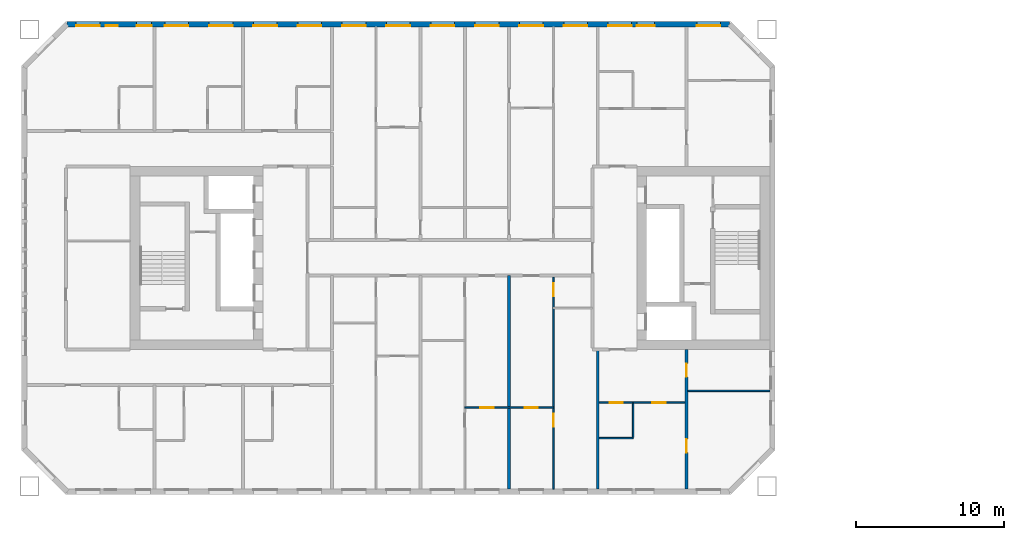
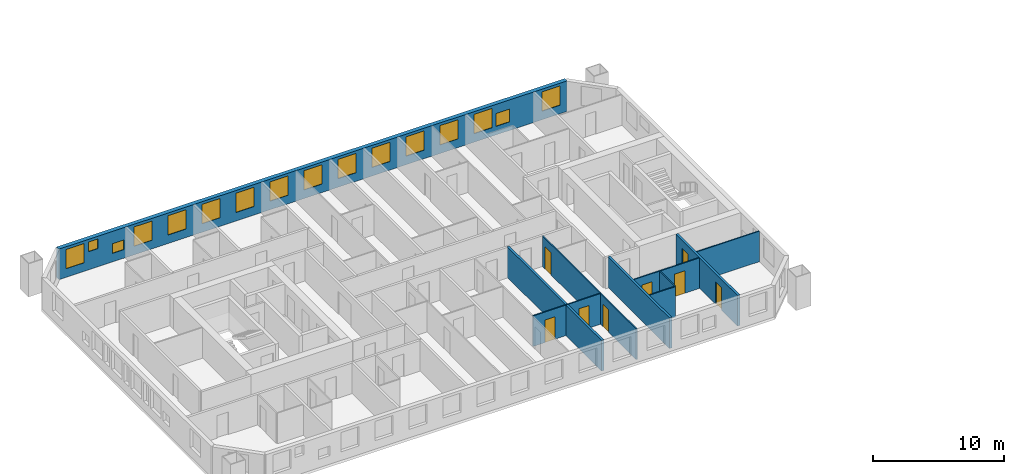
# One storey, part 6 of 17: 16 windows, 10 walls, 8 doors, 24 openings.
"""IFC4 building model written with IfcOpenShell, lengths in metres."""

from ifc_helpers import new_model, si_unit, direction, frame, frame_2d, origin, place, context, subcontext, project, spatial, rectangle, extrude, material, layer, layer_set, type_object, element, fill, save


model = new_model("IFC4")

# Units and contexts
model_context = context("Model", 3, precision=1e-05, world=origin(), true_north=direction((0.0, 1.0)))
body_context = subcontext(model_context, "Body", "Model", "MODEL_VIEW")
ifc_project = project(units=[si_unit("LENGTHUNIT", "METRE"), si_unit("AREAUNIT", "SQUARE_METRE"), si_unit("VOLUMEUNIT", "CUBIC_METRE"), si_unit("PLANEANGLEUNIT", "RADIAN"), si_unit("MASSUNIT", "GRAM", prefix="KILO")], contexts=[model_context])

# Site, building, storey
site_placement = place(None, origin())
site = spatial("IfcSite", under=ifc_project, at=site_placement, CompositionType="ELEMENT")
building_placement = place(site_placement, origin())
building = spatial("IfcBuilding", under=site, at=building_placement, Name="Tuart Gate Housing", CompositionType="ELEMENT")
storey_placement = place(building_placement, frame((0.0, 0.0, 99.5)))
storey = spatial("IfcBuildingStorey", under=building, at=storey_placement, Name="L27", CompositionType="ELEMENT", Elevation=99.5)

# Wall, openings, windows
ifc_material_1 = material(Name="Brick", Category="masonry")
ifc_layer_1 = layer(ifc_material_1, 0.360107421875)
ifc_layer_set_1 = layer_set([ifc_layer_1], Name="Brick pier and spandrel wall 360")
wall_type_1 = type_object("IfcWallType", Name="Brick pier and spandrel wall 360", PredefinedType="STANDARD", material=ifc_layer_set_1)
wall_1_placement = place(storey_placement, frame((72.92529296875, 85.820068359375, 0.0), z_axis=(0.0, 0.0, 1.0), x_axis=(-1.0, 0.0, 0.0)))
wall_1 = element("IfcWall", 1, at=wall_1_placement, inside=storey, type_object=wall_type_1, Name="External wall A-N L27", PredefinedType="STANDARD", context=body_context, shape_type="SweptSolid", body=[
    extrude(rectangle(XDim=44.850830078125, YDim=0.360107421875, at=frame_2d((22.42529296875, 0.0))), origin(), (0.0, 0.0, 1.0), 2.85009765625),
])
opening_1_placement = place(wall_1_placement, frame((0.62548828125, 0.0, 0.800048828125)))
opening_1 = element("IfcOpeningElement", 2, at=opening_1_placement, cuts=wall_1, Name="Opening W1", PredefinedType="OPENING", context=body_context, shape_type="SweptSolid", body=[
    extrude(rectangle(XDim=1.60009765625, YDim=1.800048828125, at=frame_2d((0.800048828125, 0.89990234375))), frame((0.0, 0.18994140625, 0.0), z_axis=(0.0, -1.0, 0.0), x_axis=(1.0, 0.0, 0.0)), (0.0, 0.0, 1.0), 0.380126953125),
])
opening_2_placement = place(wall_1_placement, frame((5.075439453125, 0.0, 0.800048828125)))
opening_2 = element("IfcOpeningElement", 3, at=opening_2_placement, cuts=wall_1, Name="Opening W1N", PredefinedType="OPENING", context=body_context, shape_type="SweptSolid", body=[
    extrude(rectangle(XDim=1.199951171875, YDim=1.199951171875, at=frame_2d((0.60009765625, 0.60009765625))), frame((0.0, 0.18994140625, 0.0), z_axis=(0.0, -1.0, 0.0), x_axis=(1.0, 0.0, 0.0)), (0.0, 0.0, 1.0), 0.380126953125),
])
opening_3_placement = place(wall_1_placement, frame((6.62548828125, 0.0, 0.800048828125)))
opening_3 = element("IfcOpeningElement", 4, at=opening_3_placement, cuts=wall_1, Name="Opening W1", PredefinedType="OPENING", context=body_context, shape_type="SweptSolid", body=[
    extrude(rectangle(XDim=1.60009765625, YDim=1.800048828125, at=frame_2d((0.800048828125, 0.89990234375))), frame((0.0, 0.18994140625, 0.0), z_axis=(0.0, -1.0, 0.0), x_axis=(1.0, 0.0, 0.0)), (0.0, 0.0, 1.0), 0.380126953125),
])
opening_4_placement = place(wall_1_placement, frame((9.62548828125, 0.0, 0.800048828125)))
opening_4 = element("IfcOpeningElement", 5, at=opening_4_placement, cuts=wall_1, Name="Opening W1", PredefinedType="OPENING", context=body_context, shape_type="SweptSolid", body=[
    extrude(rectangle(XDim=1.60009765625, YDim=1.800048828125, at=frame_2d((0.800048828125, 0.89990234375))), frame((0.0, 0.18994140625, 0.0), z_axis=(0.0, -1.0, 0.0), x_axis=(1.0, 0.0, 0.0)), (0.0, 0.0, 1.0), 0.380126953125),
])
opening_5_placement = place(wall_1_placement, frame((12.62548828125, 0.0, 0.800048828125)))
opening_5 = element("IfcOpeningElement", 6, at=opening_5_placement, cuts=wall_1, Name="Opening W1", PredefinedType="OPENING", context=body_context, shape_type="SweptSolid", body=[
    extrude(rectangle(XDim=1.60009765625, YDim=1.800048828125, at=frame_2d((0.800048828125, 0.89990234375))), frame((0.0, 0.18994140625, 0.0), z_axis=(0.0, -1.0, 0.0), x_axis=(1.0, 0.0, 0.0)), (0.0, 0.0, 1.0), 0.380126953125),
])
opening_6_placement = place(wall_1_placement, frame((15.62548828125, 0.0, 0.800048828125)))
opening_6 = element("IfcOpeningElement", 7, at=opening_6_placement, cuts=wall_1, Name="Opening W1", PredefinedType="OPENING", context=body_context, shape_type="SweptSolid", body=[
    extrude(rectangle(XDim=1.60009765625, YDim=1.800048828125, at=frame_2d((0.800048828125, 0.89990234375))), frame((0.0, 0.18994140625, 0.0), z_axis=(0.0, -1.0, 0.0), x_axis=(1.0, 0.0, 0.0)), (0.0, 0.0, 1.0), 0.380126953125),
])
opening_7_placement = place(wall_1_placement, frame((18.62548828125, 0.0, 0.800048828125)))
opening_7 = element("IfcOpeningElement", 8, at=opening_7_placement, cuts=wall_1, Name="Opening W1", PredefinedType="OPENING", context=body_context, shape_type="SweptSolid", body=[
    extrude(rectangle(XDim=1.60009765625, YDim=1.800048828125, at=frame_2d((0.800048828125, 0.89990234375))), frame((0.0, 0.18994140625, 0.0), z_axis=(0.0, -1.0, 0.0), x_axis=(1.0, 0.0, 0.0)), (0.0, 0.0, 1.0), 0.380126953125),
])
opening_8_placement = place(wall_1_placement, frame((21.62548828125, 0.0, 0.800048828125)))
opening_8 = element("IfcOpeningElement", 9, at=opening_8_placement, cuts=wall_1, Name="Opening W1", PredefinedType="OPENING", context=body_context, shape_type="SweptSolid", body=[
    extrude(rectangle(XDim=1.60009765625, YDim=1.800048828125, at=frame_2d((0.800048828125, 0.89990234375))), frame((0.0, 0.18994140625, 0.0), z_axis=(0.0, -1.0, 0.0), x_axis=(1.0, 0.0, 0.0)), (0.0, 0.0, 1.0), 0.380126953125),
])
opening_9_placement = place(wall_1_placement, frame((24.62548828125, 0.0, 0.800048828125)))
opening_9 = element("IfcOpeningElement", 10, at=opening_9_placement, cuts=wall_1, Name="Opening W1", PredefinedType="OPENING", context=body_context, shape_type="SweptSolid", body=[
    extrude(rectangle(XDim=1.60009765625, YDim=1.800048828125, at=frame_2d((0.800048828125, 0.89990234375))), frame((0.0, 0.18994140625, 0.0), z_axis=(0.0, -1.0, 0.0), x_axis=(1.0, 0.0, 0.0)), (0.0, 0.0, 1.0), 0.380126953125),
])
opening_10_placement = place(wall_1_placement, frame((27.62548828125, 0.0, 0.800048828125)))
opening_10 = element("IfcOpeningElement", 11, at=opening_10_placement, cuts=wall_1, Name="Opening W1", PredefinedType="OPENING", context=body_context, shape_type="SweptSolid", body=[
    extrude(rectangle(XDim=1.60009765625, YDim=1.800048828125, at=frame_2d((0.800048828125, 0.89990234375))), frame((0.0, 0.18994140625, 0.0), z_axis=(0.0, -1.0, 0.0), x_axis=(1.0, 0.0, 0.0)), (0.0, 0.0, 1.0), 0.380126953125),
])
opening_11_placement = place(wall_1_placement, frame((30.62548828125, 0.0, 0.800048828125)))
opening_11 = element("IfcOpeningElement", 12, at=opening_11_placement, cuts=wall_1, Name="Opening W1", PredefinedType="OPENING", context=body_context, shape_type="SweptSolid", body=[
    extrude(rectangle(XDim=1.60009765625, YDim=1.800048828125, at=frame_2d((0.800048828125, 0.89990234375))), frame((0.0, 0.18994140625, 0.0), z_axis=(0.0, -1.0, 0.0), x_axis=(1.0, 0.0, 0.0)), (0.0, 0.0, 1.0), 0.380126953125),
])
opening_12_placement = place(wall_1_placement, frame((33.62548828125, 0.0, 0.800048828125)))
opening_12 = element("IfcOpeningElement", 13, at=opening_12_placement, cuts=wall_1, Name="Opening W1", PredefinedType="OPENING", context=body_context, shape_type="SweptSolid", body=[
    extrude(rectangle(XDim=1.60009765625, YDim=1.800048828125, at=frame_2d((0.800048828125, 0.89990234375))), frame((0.0, 0.18994140625, 0.0), z_axis=(0.0, -1.0, 0.0), x_axis=(1.0, 0.0, 0.0)), (0.0, 0.0, 1.0), 0.380126953125),
])
opening_13_placement = place(wall_1_placement, frame((36.62548828125, 0.0, 0.800048828125)))
opening_13 = element("IfcOpeningElement", 14, at=opening_13_placement, cuts=wall_1, Name="Opening W1", PredefinedType="OPENING", context=body_context, shape_type="SweptSolid", body=[
    extrude(rectangle(XDim=1.60009765625, YDim=1.800048828125, at=frame_2d((0.800048828125, 0.89990234375))), frame((0.0, 0.18994140625, 0.0), z_axis=(0.0, -1.0, 0.0), x_axis=(1.0, 0.0, 0.0)), (0.0, 0.0, 1.0), 0.380126953125),
])
opening_14_placement = place(wall_1_placement, frame((39.12548828125, 0.0, 0.800048828125)))
opening_14 = element("IfcOpeningElement", 15, at=opening_14_placement, cuts=wall_1, Name="Opening W1U", PredefinedType="OPENING", context=body_context, shape_type="SweptSolid", body=[
    extrude(rectangle(XDim=1.0, YDim=0.89990234375, at=frame_2d((0.5, 0.449951171875))), frame((0.0, 0.18994140625, 0.0), z_axis=(0.0, -1.0, 0.0), x_axis=(1.0, 0.0, 0.0)), (0.0, 0.0, 1.0), 0.380126953125),
])
opening_15_placement = place(wall_1_placement, frame((42.62548828125, 0.0, 0.800048828125)))
opening_15 = element("IfcOpeningElement", 16, at=opening_15_placement, cuts=wall_1, Name="Opening W1", PredefinedType="OPENING", context=body_context, shape_type="SweptSolid", body=[
    extrude(rectangle(XDim=1.60009765625, YDim=1.800048828125, at=frame_2d((0.800048828125, 0.89990234375))), frame((0.0, 0.18994140625, 0.0), z_axis=(0.0, -1.0, 0.0), x_axis=(1.0, 0.0, 0.0)), (0.0, 0.0, 1.0), 0.380126953125),
])
opening_16_placement = place(wall_1_placement, frame((41.42529296875, 0.0, 1.699951171875)))
opening_16 = element("IfcOpeningElement", 17, at=opening_16_placement, cuts=wall_1, Name="Opening W1V", PredefinedType="OPENING", context=body_context, shape_type="SweptSolid", body=[
    extrude(rectangle(XDim=0.800048828125, YDim=0.89990234375, at=frame_2d((0.39990234375, 0.449951171875))), frame((0.0, 0.18994140625, 0.0), z_axis=(0.0, -1.0, 0.0), x_axis=(1.0, 0.0, 0.0)), (0.0, 0.0, 1.0), 0.380126953125),
])
ifc_material_2 = material(Name="Aluminium frame with clear glass", Category="aluminium")
window_type_1 = type_object("IfcWindowType", Name="Punched window 1000 x 900", PartitioningType="SINGLE_PANEL", PredefinedType="WINDOW", material=ifc_material_2)
window_1_placement = place(opening_14_placement, origin())
window_1 = element("IfcWindow", 18, at=window_1_placement, inside=storey, type_object=window_type_1, Name="Window W1U", OverallHeight=0.89990234375, OverallWidth=1.0, PartitioningType="SINGLE_PANEL", PredefinedType="WINDOW", context=body_context, shape_type="SweptSolid", body=[
    extrude(rectangle(XDim=1.0, YDim=0.89990234375, at=frame_2d((0.5, 0.449951171875))), frame((0.0, 0.150146484375, 0.0), z_axis=(0.0, -1.0, 0.0), x_axis=(1.0, 0.0, 0.0)), (0.0, 0.0, 1.0), 0.06005859375),
])
fill(opening_14, window_1)
ifc_material_3 = material(Name="Aluminium frame with clear glass", Category="aluminium")
window_type_2 = type_object("IfcWindowType", Name="Punched window 1200 x 1200", PartitioningType="SINGLE_PANEL", PredefinedType="WINDOW", material=ifc_material_3)
window_2_placement = place(opening_2_placement, origin())
window_2 = element("IfcWindow", 19, at=window_2_placement, inside=storey, type_object=window_type_2, Name="Window W1N", OverallHeight=1.199951171875, OverallWidth=1.199951171875, PartitioningType="SINGLE_PANEL", PredefinedType="WINDOW", context=body_context, shape_type="SweptSolid", body=[
    extrude(rectangle(XDim=1.199951171875, YDim=1.199951171875, at=frame_2d((0.60009765625, 0.60009765625))), frame((0.0, 0.150146484375, 0.0), z_axis=(0.0, -1.0, 0.0), x_axis=(1.0, 0.0, 0.0)), (0.0, 0.0, 1.0), 0.06005859375),
])
fill(opening_2, window_2)
ifc_material_4 = material(Name="Aluminium frame with clear glass", Category="aluminium")
window_type_3 = type_object("IfcWindowType", Name="Punched window 1600 x 1800", PartitioningType="SINGLE_PANEL", PredefinedType="WINDOW", material=ifc_material_4)
window_3_placement = place(opening_1_placement, origin())
window_3 = element("IfcWindow", 20, at=window_3_placement, inside=storey, type_object=window_type_3, Name="Window W1", OverallHeight=1.800048828125, OverallWidth=1.60009765625, PartitioningType="SINGLE_PANEL", PredefinedType="WINDOW", context=body_context, shape_type="SweptSolid", body=[
    extrude(rectangle(XDim=1.60009765625, YDim=1.800048828125, at=frame_2d((0.800048828125, 0.89990234375))), frame((0.0, 0.150146484375, 0.0), z_axis=(0.0, -1.0, 0.0), x_axis=(1.0, 0.0, 0.0)), (0.0, 0.0, 1.0), 0.06005859375),
])
fill(opening_1, window_3)
window_4_placement = place(opening_3_placement, origin())
window_4 = element("IfcWindow", 21, at=window_4_placement, inside=storey, type_object=window_type_3, Name="Window W1", OverallHeight=1.800048828125, OverallWidth=1.60009765625, PartitioningType="SINGLE_PANEL", PredefinedType="WINDOW", context=body_context, shape_type="SweptSolid", body=[
    extrude(rectangle(XDim=1.60009765625, YDim=1.800048828125, at=frame_2d((0.800048828125, 0.89990234375))), frame((0.0, 0.150146484375, 0.0), z_axis=(0.0, -1.0, 0.0), x_axis=(1.0, 0.0, 0.0)), (0.0, 0.0, 1.0), 0.06005859375),
])
fill(opening_3, window_4)
window_5_placement = place(opening_4_placement, origin())
window_5 = element("IfcWindow", 22, at=window_5_placement, inside=storey, type_object=window_type_3, Name="Window W1", OverallHeight=1.800048828125, OverallWidth=1.60009765625, PartitioningType="SINGLE_PANEL", PredefinedType="WINDOW", context=body_context, shape_type="SweptSolid", body=[
    extrude(rectangle(XDim=1.60009765625, YDim=1.800048828125, at=frame_2d((0.800048828125, 0.89990234375))), frame((0.0, 0.150146484375, 0.0), z_axis=(0.0, -1.0, 0.0), x_axis=(1.0, 0.0, 0.0)), (0.0, 0.0, 1.0), 0.06005859375),
])
fill(opening_4, window_5)
window_6_placement = place(opening_5_placement, origin())
window_6 = element("IfcWindow", 23, at=window_6_placement, inside=storey, type_object=window_type_3, Name="Window W1", OverallHeight=1.800048828125, OverallWidth=1.60009765625, PartitioningType="SINGLE_PANEL", PredefinedType="WINDOW", context=body_context, shape_type="SweptSolid", body=[
    extrude(rectangle(XDim=1.60009765625, YDim=1.800048828125, at=frame_2d((0.800048828125, 0.89990234375))), frame((0.0, 0.150146484375, 0.0), z_axis=(0.0, -1.0, 0.0), x_axis=(1.0, 0.0, 0.0)), (0.0, 0.0, 1.0), 0.06005859375),
])
fill(opening_5, window_6)
window_7_placement = place(opening_6_placement, origin())
window_7 = element("IfcWindow", 24, at=window_7_placement, inside=storey, type_object=window_type_3, Name="Window W1", OverallHeight=1.800048828125, OverallWidth=1.60009765625, PartitioningType="SINGLE_PANEL", PredefinedType="WINDOW", context=body_context, shape_type="SweptSolid", body=[
    extrude(rectangle(XDim=1.60009765625, YDim=1.800048828125, at=frame_2d((0.800048828125, 0.89990234375))), frame((0.0, 0.150146484375, 0.0), z_axis=(0.0, -1.0, 0.0), x_axis=(1.0, 0.0, 0.0)), (0.0, 0.0, 1.0), 0.06005859375),
])
fill(opening_6, window_7)
window_8_placement = place(opening_7_placement, origin())
window_8 = element("IfcWindow", 25, at=window_8_placement, inside=storey, type_object=window_type_3, Name="Window W1", OverallHeight=1.800048828125, OverallWidth=1.60009765625, PartitioningType="SINGLE_PANEL", PredefinedType="WINDOW", context=body_context, shape_type="SweptSolid", body=[
    extrude(rectangle(XDim=1.60009765625, YDim=1.800048828125, at=frame_2d((0.800048828125, 0.89990234375))), frame((0.0, 0.150146484375, 0.0), z_axis=(0.0, -1.0, 0.0), x_axis=(1.0, 0.0, 0.0)), (0.0, 0.0, 1.0), 0.06005859375),
])
fill(opening_7, window_8)
window_9_placement = place(opening_8_placement, origin())
window_9 = element("IfcWindow", 26, at=window_9_placement, inside=storey, type_object=window_type_3, Name="Window W1", OverallHeight=1.800048828125, OverallWidth=1.60009765625, PartitioningType="SINGLE_PANEL", PredefinedType="WINDOW", context=body_context, shape_type="SweptSolid", body=[
    extrude(rectangle(XDim=1.60009765625, YDim=1.800048828125, at=frame_2d((0.800048828125, 0.89990234375))), frame((0.0, 0.150146484375, 0.0), z_axis=(0.0, -1.0, 0.0), x_axis=(1.0, 0.0, 0.0)), (0.0, 0.0, 1.0), 0.06005859375),
])
fill(opening_8, window_9)
window_10_placement = place(opening_9_placement, origin())
window_10 = element("IfcWindow", 27, at=window_10_placement, inside=storey, type_object=window_type_3, Name="Window W1", OverallHeight=1.800048828125, OverallWidth=1.60009765625, PartitioningType="SINGLE_PANEL", PredefinedType="WINDOW", context=body_context, shape_type="SweptSolid", body=[
    extrude(rectangle(XDim=1.60009765625, YDim=1.800048828125, at=frame_2d((0.800048828125, 0.89990234375))), frame((0.0, 0.150146484375, 0.0), z_axis=(0.0, -1.0, 0.0), x_axis=(1.0, 0.0, 0.0)), (0.0, 0.0, 1.0), 0.06005859375),
])
fill(opening_9, window_10)
window_11_placement = place(opening_10_placement, origin())
window_11 = element("IfcWindow", 28, at=window_11_placement, inside=storey, type_object=window_type_3, Name="Window W1", OverallHeight=1.800048828125, OverallWidth=1.60009765625, PartitioningType="SINGLE_PANEL", PredefinedType="WINDOW", context=body_context, shape_type="SweptSolid", body=[
    extrude(rectangle(XDim=1.60009765625, YDim=1.800048828125, at=frame_2d((0.800048828125, 0.89990234375))), frame((0.0, 0.150146484375, 0.0), z_axis=(0.0, -1.0, 0.0), x_axis=(1.0, 0.0, 0.0)), (0.0, 0.0, 1.0), 0.06005859375),
])
fill(opening_10, window_11)
window_12_placement = place(opening_11_placement, origin())
window_12 = element("IfcWindow", 29, at=window_12_placement, inside=storey, type_object=window_type_3, Name="Window W1", OverallHeight=1.800048828125, OverallWidth=1.60009765625, PartitioningType="SINGLE_PANEL", PredefinedType="WINDOW", context=body_context, shape_type="SweptSolid", body=[
    extrude(rectangle(XDim=1.60009765625, YDim=1.800048828125, at=frame_2d((0.800048828125, 0.89990234375))), frame((0.0, 0.150146484375, 0.0), z_axis=(0.0, -1.0, 0.0), x_axis=(1.0, 0.0, 0.0)), (0.0, 0.0, 1.0), 0.06005859375),
])
fill(opening_11, window_12)
window_13_placement = place(opening_12_placement, origin())
window_13 = element("IfcWindow", 30, at=window_13_placement, inside=storey, type_object=window_type_3, Name="Window W1", OverallHeight=1.800048828125, OverallWidth=1.60009765625, PartitioningType="SINGLE_PANEL", PredefinedType="WINDOW", context=body_context, shape_type="SweptSolid", body=[
    extrude(rectangle(XDim=1.60009765625, YDim=1.800048828125, at=frame_2d((0.800048828125, 0.89990234375))), frame((0.0, 0.150146484375, 0.0), z_axis=(0.0, -1.0, 0.0), x_axis=(1.0, 0.0, 0.0)), (0.0, 0.0, 1.0), 0.06005859375),
])
fill(opening_12, window_13)
window_14_placement = place(opening_13_placement, origin())
window_14 = element("IfcWindow", 31, at=window_14_placement, inside=storey, type_object=window_type_3, Name="Window W1", OverallHeight=1.800048828125, OverallWidth=1.60009765625, PartitioningType="SINGLE_PANEL", PredefinedType="WINDOW", context=body_context, shape_type="SweptSolid", body=[
    extrude(rectangle(XDim=1.60009765625, YDim=1.800048828125, at=frame_2d((0.800048828125, 0.89990234375))), frame((0.0, 0.150146484375, 0.0), z_axis=(0.0, -1.0, 0.0), x_axis=(1.0, 0.0, 0.0)), (0.0, 0.0, 1.0), 0.06005859375),
])
fill(opening_13, window_14)
window_15_placement = place(opening_15_placement, origin())
window_15 = element("IfcWindow", 32, at=window_15_placement, inside=storey, type_object=window_type_3, Name="Window W1", OverallHeight=1.800048828125, OverallWidth=1.60009765625, PartitioningType="SINGLE_PANEL", PredefinedType="WINDOW", context=body_context, shape_type="SweptSolid", body=[
    extrude(rectangle(XDim=1.60009765625, YDim=1.800048828125, at=frame_2d((0.800048828125, 0.89990234375))), frame((0.0, 0.150146484375, 0.0), z_axis=(0.0, -1.0, 0.0), x_axis=(1.0, 0.0, 0.0)), (0.0, 0.0, 1.0), 0.06005859375),
])
fill(opening_15, window_15)
ifc_material_5 = material(Name="Aluminium frame with clear glass", Category="aluminium")
window_type_4 = type_object("IfcWindowType", Name="Punched window 800 x 900", PartitioningType="SINGLE_PANEL", PredefinedType="WINDOW", material=ifc_material_5)
window_16_placement = place(opening_16_placement, origin())
window_16 = element("IfcWindow", 33, at=window_16_placement, inside=storey, type_object=window_type_4, Name="Window W1V", OverallHeight=0.89990234375, OverallWidth=0.800048828125, PartitioningType="SINGLE_PANEL", PredefinedType="WINDOW", context=body_context, shape_type="SweptSolid", body=[
    extrude(rectangle(XDim=0.800048828125, YDim=0.89990234375, at=frame_2d((0.39990234375, 0.449951171875))), frame((0.0, 0.150146484375, 0.0), z_axis=(0.0, -1.0, 0.0), x_axis=(1.0, 0.0, 0.0)), (0.0, 0.0, 1.0), 0.06005859375),
])
fill(opening_16, window_16)

# Wall
ifc_material_6 = material(Name="Gypsum board on steel studs", Category="steel")
ifc_layer_2 = layer(ifc_material_6, 0.10009765625)
ifc_layer_set_2 = layer_set([ifc_layer_2], Name="Partition 100")
wall_type_2 = type_object("IfcWallType", Name="Partition 100", PredefinedType="PARTITIONING", material=ifc_layer_set_2)
wall_2_placement = place(storey_placement, frame((64.10009765625, 57.800048828125, 0.0), z_axis=(0.0, 0.0, 1.0), x_axis=(1.0, 0.0, 0.0)))
element("IfcWall", 34, at=wall_2_placement, inside=storey, type_object=wall_type_2, Name="Partition 100", PredefinedType="PARTITIONING", context=body_context, shape_type="SweptSolid", body=[
    extrude(rectangle(XDim=2.2998046875, YDim=0.10009765625, at=frame_2d((1.14990234375, 0.0))), origin(), (0.0, 0.0, 1.0), 2.85009765625),
])

# Wall, openings, doors
wall_3_placement = place(storey_placement, frame((55.0, 59.860107421875, 0.0), z_axis=(0.0, 0.0, 1.0), x_axis=(1.0, 0.0, 0.0)))
wall_3 = element("IfcWall", 35, at=wall_3_placement, inside=storey, type_object=wall_type_2, Name="Partition 100", PredefinedType="PARTITIONING", context=body_context, shape_type="SweptSolid", body=[
    extrude(rectangle(XDim=6.0, YDim=0.10009765625, at=frame_2d((3.0, 0.0))), origin(), (0.0, 0.0, 1.0), 2.85009765625),
])
opening_17_placement = place(wall_3_placement, frame((4.050048828125, 0.0, 0.0)))
opening_17 = element("IfcOpeningElement", 36, at=opening_17_placement, cuts=wall_3, Name="Opening D1119", PredefinedType="OPENING", context=body_context, shape_type="SweptSolid", body=[
    extrude(rectangle(XDim=0.89990234375, YDim=2.10009765625, at=frame_2d((0.449951171875, 1.050048828125))), frame((0.0, 0.06005859375, 0.0), z_axis=(0.0, -1.0, 0.0), x_axis=(1.0, 0.0, 0.0)), (0.0, 0.0, 1.0), 0.1201171875),
])
opening_18_placement = place(wall_3_placement, frame((1.050048828125, 0.0, 0.0)))
opening_18 = element("IfcOpeningElement", 37, at=opening_18_placement, cuts=wall_3, Name="Opening D1120", PredefinedType="OPENING", context=body_context, shape_type="SweptSolid", body=[
    extrude(rectangle(XDim=0.89990234375, YDim=2.10009765625, at=frame_2d((0.449951171875, 1.050048828125))), frame((0.0, 0.06005859375, 0.0), z_axis=(0.0, -1.0, 0.0), x_axis=(1.0, 0.0, 0.0)), (0.0, 0.0, 1.0), 0.1201171875),
])
ifc_material_7 = material(Name="Timber door leaf in steel frame", Category="steel")
door_type_1 = type_object("IfcDoorType", Name="Internal door 900", OperationType="SINGLE_SWING_LEFT", PredefinedType="DOOR", material=ifc_material_7)
door_1_placement = place(opening_17_placement, origin())
door_1 = element("IfcDoor", 38, at=door_1_placement, inside=storey, type_object=door_type_1, Name="Internal door", OperationType="SINGLE_SWING_LEFT", OverallHeight=2.10009765625, OverallWidth=0.89990234375, PredefinedType="DOOR", context=body_context, shape_type="SweptSolid", body=[
    extrude(rectangle(XDim=0.89990234375, YDim=2.10009765625, at=frame_2d((0.449951171875, 1.050048828125))), frame((0.0, 0.02490234375, 0.0), z_axis=(0.0, -1.0, 0.0), x_axis=(1.0, 0.0, 0.0)), (0.0, 0.0, 1.0), 0.050048828125),
])
fill(opening_17, door_1)
door_2_placement = place(opening_18_placement, origin())
door_2 = element("IfcDoor", 39, at=door_2_placement, inside=storey, type_object=door_type_1, Name="Internal door", OperationType="SINGLE_SWING_LEFT", OverallHeight=2.10009765625, OverallWidth=0.89990234375, PredefinedType="DOOR", context=body_context, shape_type="SweptSolid", body=[
    extrude(rectangle(XDim=0.89990234375, YDim=2.10009765625, at=frame_2d((0.449951171875, 1.050048828125))), frame((0.0, 0.02490234375, 0.0), z_axis=(0.0, -1.0, 0.0), x_axis=(1.0, 0.0, 0.0)), (0.0, 0.0, 1.0), 0.050048828125),
])
fill(opening_18, door_2)

wall_4_placement = place(storey_placement, frame((64.10009765625, 60.199951171875, 0.0), z_axis=(0.0, 0.0, 1.0), x_axis=(1.0, 0.0, 0.0)))
wall_4 = element("IfcWall", 40, at=wall_4_placement, inside=storey, type_object=wall_type_2, Name="Partition 100", PredefinedType="PARTITIONING", context=body_context, shape_type="SweptSolid", body=[
    extrude(rectangle(XDim=5.7998046875, YDim=0.10009765625, at=frame_2d((2.89990234375, 0.0))), origin(), (0.0, 0.0, 1.0), 2.85009765625),
])
opening_19_placement = place(wall_4_placement, frame((3.60009765625, 0.0, 0.0)))
opening_19 = element("IfcOpeningElement", 41, at=opening_19_placement, cuts=wall_4, Name="Opening D1117", PredefinedType="OPENING", context=body_context, shape_type="SweptSolid", body=[
    extrude(rectangle(XDim=0.89990234375, YDim=2.10009765625, at=frame_2d((0.449951171875, 1.050048828125))), frame((0.0, 0.06005859375, 0.0), z_axis=(0.0, -1.0, 0.0), x_axis=(1.0, 0.0, 0.0)), (0.0, 0.0, 1.0), 0.1201171875),
])
opening_20_placement = place(wall_4_placement, frame((0.699951171875, 0.0, 0.0)))
opening_20 = element("IfcOpeningElement", 42, at=opening_20_placement, cuts=wall_4, Name="Opening D1116", PredefinedType="OPENING", context=body_context, shape_type="SweptSolid", body=[
    extrude(rectangle(XDim=0.89990234375, YDim=2.10009765625, at=frame_2d((0.449951171875, 1.050048828125))), frame((0.0, 0.06005859375, 0.0), z_axis=(0.0, -1.0, 0.0), x_axis=(1.0, 0.0, 0.0)), (0.0, 0.0, 1.0), 0.1201171875),
])
ifc_material_8 = material(Name="Timber door leaf in steel frame", Category="steel")
door_type_2 = type_object("IfcDoorType", Name="Bathroom door 900", OperationType="SINGLE_SWING_LEFT", PredefinedType="DOOR", material=ifc_material_8)
door_3_placement = place(opening_20_placement, frame((0.89990234375, 0.0, 0.0), z_axis=(0.0, 0.0, 1.0), x_axis=(-1.0, 0.0, 0.0)))
door_3 = element("IfcDoor", 43, at=door_3_placement, inside=storey, type_object=door_type_2, Name="Bathroom door", OperationType="SINGLE_SWING_LEFT", OverallHeight=2.10009765625, OverallWidth=0.89990234375, PredefinedType="DOOR", context=body_context, shape_type="SweptSolid", body=[
    extrude(rectangle(XDim=0.89990234375, YDim=2.10009765625, at=frame_2d((0.449951171875, 1.050048828125))), frame((0.0, 0.025146484375, 0.0), z_axis=(0.0, -1.0, 0.0), x_axis=(1.0, 0.0, 0.0)), (0.0, 0.0, 1.0), 0.050048828125),
])
fill(opening_20, door_3)
ifc_material_9 = material(Name="Timber door leaf in steel frame", Category="steel")
door_type_3 = type_object("IfcDoorType", Name="Internal door 900 RH", OperationType="SINGLE_SWING_RIGHT", PredefinedType="DOOR", material=ifc_material_9)
door_4_placement = place(opening_19_placement, origin())
door_4 = element("IfcDoor", 44, at=door_4_placement, inside=storey, type_object=door_type_3, Name="Internal door", OperationType="SINGLE_SWING_RIGHT", OverallHeight=2.10009765625, OverallWidth=0.89990234375, PredefinedType="DOOR", context=body_context, shape_type="SweptSolid", body=[
    extrude(rectangle(XDim=0.89990234375, YDim=2.10009765625, at=frame_2d((0.449951171875, 1.050048828125))), frame((0.0, 0.02490234375, 0.0), z_axis=(0.0, -1.0, 0.0), x_axis=(1.0, 0.0, 0.0)), (0.0, 0.0, 1.0), 0.050048828125),
])
fill(opening_19, door_4)

# Wall
wall_5_placement = place(storey_placement, frame((70.10009765625, 61.0, 0.0), z_axis=(0.0, 0.0, 1.0), x_axis=(1.0, 0.0, 0.0)))
element("IfcWall", 45, at=wall_5_placement, inside=storey, type_object=wall_type_2, Name="Partition 100", PredefinedType="PARTITIONING", context=body_context, shape_type="SweptSolid", body=[
    extrude(rectangle(XDim=5.539794921875, YDim=0.10009765625, at=frame_2d((2.77001953125, 0.0))), origin(), (0.0, 0.0, 1.0), 2.85009765625),
])

# Wall, openings, doors
wall_6_placement = place(storey_placement, frame((61.0, 54.360107421875, 0.0), z_axis=(0.0, 0.0, 1.0), x_axis=(0.0, 1.0, 0.0)))
wall_6 = element("IfcWall", 46, at=wall_6_placement, inside=storey, type_object=wall_type_2, Name="Partition 100", PredefinedType="PARTITIONING", context=body_context, shape_type="SweptSolid", body=[
    extrude(rectangle(XDim=14.33984375, YDim=0.10009765625, at=frame_2d((7.169921875, 0.0))), origin(), (0.0, 0.0, 1.0), 2.85009765625),
])
opening_21_placement = place(wall_6_placement, frame((4.199951171875, 0.0, 0.0)))
opening_21 = element("IfcOpeningElement", 47, at=opening_21_placement, cuts=wall_6, Name="Opening D1112", PredefinedType="OPENING", context=body_context, shape_type="SweptSolid", body=[
    extrude(rectangle(XDim=0.89990234375, YDim=2.10009765625, at=frame_2d((0.449951171875, 1.050048828125))), frame((0.0, 0.06005859375, 0.0), z_axis=(0.0, -1.0, 0.0), x_axis=(1.0, 0.0, 0.0)), (0.0, 0.0, 1.0), 0.1201171875),
])
opening_22_placement = place(wall_6_placement, frame((13.0400390625, 0.0, 0.0)))
opening_22 = element("IfcOpeningElement", 48, at=opening_22_placement, cuts=wall_6, Name="Opening D1111", PredefinedType="OPENING", context=body_context, shape_type="SweptSolid", body=[
    extrude(rectangle(XDim=0.89990234375, YDim=2.10009765625, at=frame_2d((0.449951171875, 1.050048828125))), frame((0.0, 0.06005859375, 0.0), z_axis=(0.0, -1.0, 0.0), x_axis=(1.0, 0.0, 0.0)), (0.0, 0.0, 1.0), 0.1201171875),
])
door_5_placement = place(opening_22_placement, frame((0.89990234375, 0.0, 0.0), z_axis=(0.0, 0.0, 1.0), x_axis=(-1.0, 0.0, 0.0)))
door_5 = element("IfcDoor", 49, at=door_5_placement, inside=storey, type_object=door_type_2, Name="Bathroom door", OperationType="SINGLE_SWING_LEFT", OverallHeight=2.10009765625, OverallWidth=0.89990234375, PredefinedType="DOOR", context=body_context, shape_type="SweptSolid", body=[
    extrude(rectangle(XDim=0.89990234375, YDim=2.10009765625, at=frame_2d((0.449951171875, 1.050048828125))), frame((0.0, 0.025146484375, 0.0), z_axis=(0.0, -1.0, 0.0), x_axis=(1.0, 0.0, 0.0)), (0.0, 0.0, 1.0), 0.050048828125),
])
fill(opening_22, door_5)
door_6_placement = place(opening_21_placement, frame((0.89990234375, 0.0, 0.0), z_axis=(0.0, 0.0, 1.0), x_axis=(-1.0, 0.0, 0.0)))
door_6 = element("IfcDoor", 50, at=door_6_placement, inside=storey, type_object=door_type_3, Name="Internal door", OperationType="SINGLE_SWING_RIGHT", OverallHeight=2.10009765625, OverallWidth=0.89990234375, PredefinedType="DOOR", context=body_context, shape_type="SweptSolid", body=[
    extrude(rectangle(XDim=0.89990234375, YDim=2.10009765625, at=frame_2d((0.449951171875, 1.050048828125))), frame((0.0, 0.025146484375, 0.0), z_axis=(0.0, -1.0, 0.0), x_axis=(1.0, 0.0, 0.0)), (0.0, 0.0, 1.0), 0.050048828125),
])
fill(opening_21, door_6)

# Walls
wall_7_placement = place(storey_placement, frame((66.39990234375, 57.85009765625, 0.0), z_axis=(0.0, 0.0, 1.0), x_axis=(0.0, 1.0, 0.0)))
element("IfcWall", 51, at=wall_7_placement, inside=storey, type_object=wall_type_2, Name="Partition 100", PredefinedType="PARTITIONING", context=body_context, shape_type="SweptSolid", body=[
    extrude(rectangle(XDim=2.2998046875, YDim=0.10009765625, at=frame_2d((1.14990234375, 0.0))), origin(), (0.0, 0.0, 1.0), 2.85009765625),
])
ifc_material_10 = material(Name="Concrete C40", Category="concrete")
ifc_layer_3 = layer(ifc_material_10, 0.199951171875)
ifc_layer_set_3 = layer_set([ifc_layer_3], Name="Party wall concrete C40 200")
wall_type_3 = type_object("IfcWallType", Name="Party wall concrete C40 200", PredefinedType="SOLIDWALL", material=ifc_layer_set_3)
wall_8_placement = place(storey_placement, frame((58.0, 54.360107421875, 0.0), z_axis=(0.0, 0.0, 1.0), x_axis=(0.0, 1.0, 0.0)))
element("IfcWall", 52, at=wall_8_placement, inside=storey, type_object=wall_type_3, Name="Party wall concrete C40 200", PredefinedType="SOLIDWALL", context=body_context, shape_type="SweptSolid", body=[
    extrude(rectangle(XDim=14.43994140625, YDim=0.199951171875, at=frame_2d((7.219970703125, 0.0))), origin(), (0.0, 0.0, 1.0), 2.85009765625),
])
wall_9_placement = place(storey_placement, frame((64.0, 54.360107421875, 0.0), z_axis=(0.0, 0.0, 1.0), x_axis=(0.0, 1.0, 0.0)))
element("IfcWall", 53, at=wall_9_placement, inside=storey, type_object=wall_type_3, Name="Party wall concrete C40 200", PredefinedType="SOLIDWALL", context=body_context, shape_type="SweptSolid", body=[
    extrude(rectangle(XDim=9.43994140625, YDim=0.199951171875, at=frame_2d((4.719970703125, 0.0))), origin(), (0.0, 0.0, 1.0), 2.85009765625),
])

# Wall, openings, doors
wall_10_placement = place(storey_placement, frame((70.0, 54.360107421875, 0.0), z_axis=(0.0, 0.0, 1.0), x_axis=(0.0, 1.0, 0.0)))
wall_10 = element("IfcWall", 54, at=wall_10_placement, inside=storey, type_object=wall_type_3, Name="Party wall concrete C40 200", PredefinedType="SOLIDWALL", context=body_context, shape_type="SweptSolid", body=[
    extrude(rectangle(XDim=9.43994140625, YDim=0.199951171875, at=frame_2d((4.719970703125, 0.0))), origin(), (0.0, 0.0, 1.0), 2.85009765625),
])
opening_23_placement = place(wall_10_placement, frame((2.469970703125, 0.0, 0.0)))
opening_23 = element("IfcOpeningElement", 55, at=opening_23_placement, cuts=wall_10, Name="Opening D1123", PredefinedType="OPENING", context=body_context, shape_type="SweptSolid", body=[
    extrude(rectangle(XDim=0.89990234375, YDim=2.10009765625, at=frame_2d((0.449951171875, 1.050048828125))), frame((0.0, 0.10986328125, 0.0), z_axis=(0.0, -1.0, 0.0), x_axis=(1.0, 0.0, 0.0)), (0.0, 0.0, 1.0), 0.219970703125),
])
opening_24_placement = place(wall_10_placement, frame((7.590087890625, 0.0, 0.0)))
opening_24 = element("IfcOpeningElement", 56, at=opening_24_placement, cuts=wall_10, Name="Opening D1124", PredefinedType="OPENING", context=body_context, shape_type="SweptSolid", body=[
    extrude(rectangle(XDim=0.89990234375, YDim=2.10009765625, at=frame_2d((0.449951171875, 1.050048828125))), frame((0.0, 0.10986328125, 0.0), z_axis=(0.0, -1.0, 0.0), x_axis=(1.0, 0.0, 0.0)), (0.0, 0.0, 1.0), 0.219970703125),
])
door_7_placement = place(opening_23_placement, frame((0.89990234375, 0.0, 0.0), z_axis=(0.0, 0.0, 1.0), x_axis=(-1.0, 0.0, 0.0)))
door_7 = element("IfcDoor", 57, at=door_7_placement, inside=storey, type_object=door_type_3, Name="Internal door", OperationType="SINGLE_SWING_RIGHT", OverallHeight=2.10009765625, OverallWidth=0.89990234375, PredefinedType="DOOR", context=body_context, shape_type="SweptSolid", body=[
    extrude(rectangle(XDim=0.89990234375, YDim=2.10009765625, at=frame_2d((0.449951171875, 1.050048828125))), frame((0.0, 0.025146484375, 0.0), z_axis=(0.0, -1.0, 0.0), x_axis=(1.0, 0.0, 0.0)), (0.0, 0.0, 1.0), 0.050048828125),
])
fill(opening_23, door_7)
door_8_placement = place(opening_24_placement, frame((0.89990234375, 0.0, 0.0), z_axis=(0.0, 0.0, 1.0), x_axis=(-1.0, 0.0, 0.0)))
door_8 = element("IfcDoor", 58, at=door_8_placement, inside=storey, type_object=door_type_3, Name="Internal door", OperationType="SINGLE_SWING_RIGHT", OverallHeight=2.10009765625, OverallWidth=0.89990234375, PredefinedType="DOOR", context=body_context, shape_type="SweptSolid", body=[
    extrude(rectangle(XDim=0.89990234375, YDim=2.10009765625, at=frame_2d((0.449951171875, 1.050048828125))), frame((0.0, 0.025146484375, 0.0), z_axis=(0.0, -1.0, 0.0), x_axis=(1.0, 0.0, 0.0)), (0.0, 0.0, 1.0), 0.050048828125),
])
fill(opening_24, door_8)

save(model, "model.ifc")
